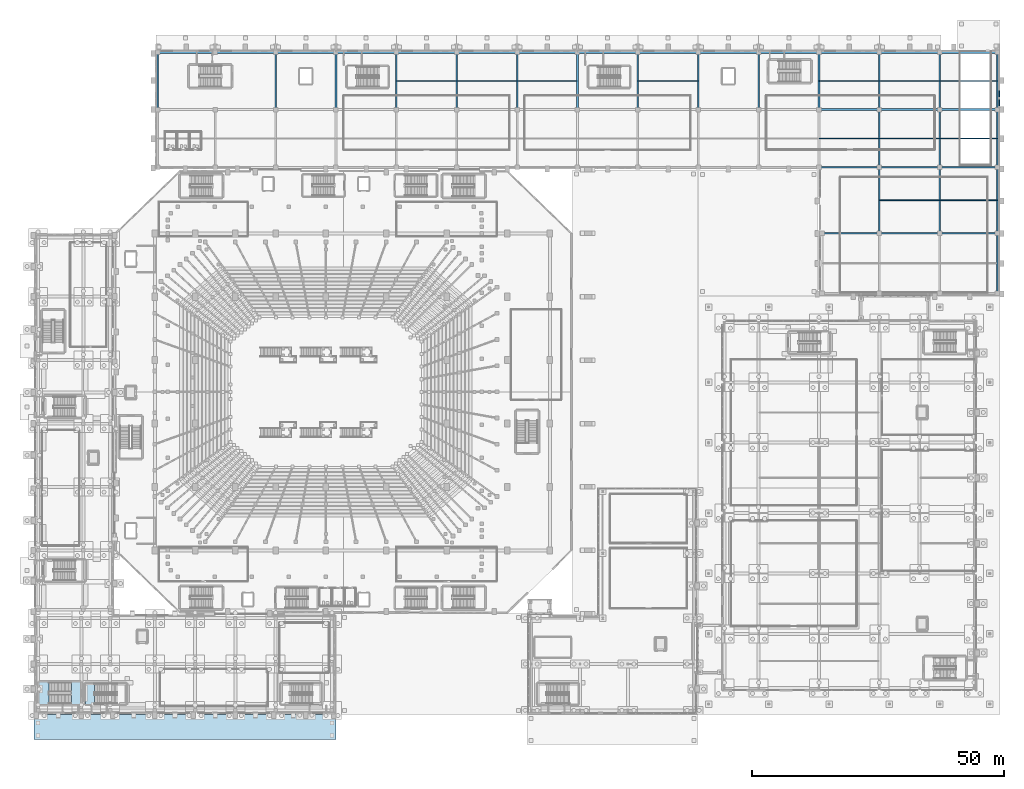
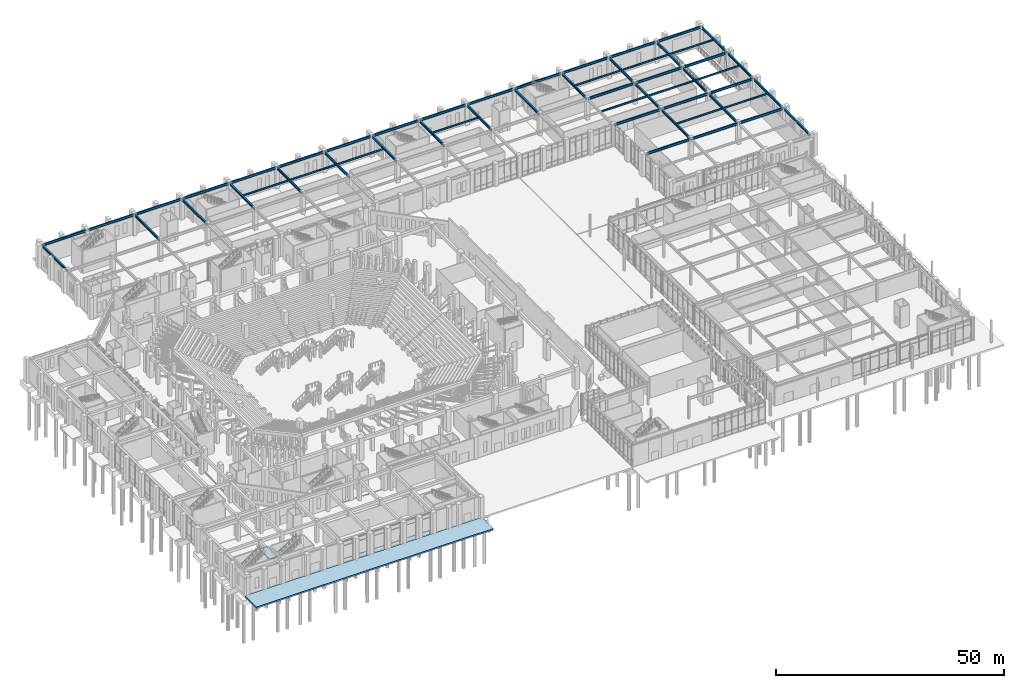
# One storey, part 77 of 143: 56 beams, 4 slabs, 2 members, 2 elements without a shape of their own.
"""IFC4 building model written with IfcOpenShell, lengths in metres."""

from ifc_helpers import new_model, si_unit, derived_unit, direction, frame, origin, origin_2d, place, context, subcontext, project, spatial, polyline, hollow_rectangle, i_section, outline, extrude, material, layer, layer_set, material_profile, profile_set, type_object, element, aggregate, save


model = new_model("IFC4")

# Units and contexts
model_context = context("Model", 3, precision=1e-05, world=origin(), true_north=direction((0.0, 1.0)))
body_context = subcontext(model_context, "Body", "Model", "MODEL_VIEW")
ifc_project = project(units=[si_unit("LENGTHUNIT", "METRE"), si_unit("AREAUNIT", "SQUARE_METRE"), si_unit("VOLUMEUNIT", "CUBIC_METRE"), si_unit("PLANEANGLEUNIT", "RADIAN"), si_unit("MASSUNIT", "GRAM", prefix="KILO"), derived_unit("THERMALTRANSMITTANCEUNIT", [(si_unit("MASSUNIT", "GRAM", prefix="KILO"), 1), (si_unit("TIMEUNIT", "SECOND"), -3), (si_unit("THERMODYNAMICTEMPERATUREUNIT", "KELVIN"), -1)])], contexts=[model_context])

# Site, building, storey
site_placement = place(None, origin())
site = spatial("IfcSite", under=ifc_project, at=site_placement, CompositionType="ELEMENT")
building_placement = place(site_placement, origin())
building = spatial("IfcBuilding", under=site, at=building_placement, Name="Valcora Ridge Arena", CompositionType="ELEMENT")
storey_placement = place(building_placement, origin())
storey = spatial("IfcBuildingStorey", under=building, at=storey_placement, Name="L00", CompositionType="ELEMENT", Elevation=0.0)

# Beams
ifc_material_1 = material(Name="Steel ASTM A572 Grade 50", Category="steel")
ifc_material_profile_1 = material_profile(ifc_material_1, i_section(OverallWidth=0.324951171875, OverallDepth=0.612060546875, WebThickness=0.0126953125, FlangeThickness=0.01904296875, FilletRadius=0.01806640625, at=origin_2d()), Name="W24X104")
ifc_profile_set_1 = profile_set([ifc_material_profile_1], Name="Steel ASTM A572 Grade 50")
beam_type_1 = type_object("IfcBeamType", Name="TY-BEAM-G-W24X104-X", PredefinedType="BEAM", material=ifc_profile_set_1)
beam_1_placement = place(storey_placement, frame((156.739990234375, 95.60009765625, 5.333984375), z_axis=(1.0, 0.0, 0.0), x_axis=(0.0, 1.0, 0.0)))
element("IfcBeam", 1, at=beam_1_placement, inside=storey, type_object=beam_type_1, Name="G-W24X104-X BEM-G-W24X104-X-0001", PredefinedType="BEAM", context=body_context, shape_type="SweptSolid", body=[
    extrude(i_section(OverallWidth=0.324951171875, OverallDepth=0.612060546875, WebThickness=0.0126953125, FlangeThickness=0.01904296875, FilletRadius=0.01806640625, at=origin_2d()), origin(), (0.0, 0.0, 1.0), 11.1201171875),
])
beam_2_placement = place(storey_placement, frame((168.139892578125, 95.60009765625, 5.333984375), z_axis=(1.0, 0.0, 0.0), x_axis=(0.0, 1.0, 0.0)))
element("IfcBeam", 2, at=beam_2_placement, inside=storey, type_object=beam_type_1, Name="G-W24X104-X BEM-G-W24X104-X-0002", PredefinedType="BEAM", context=body_context, shape_type="SweptSolid", body=[
    extrude(i_section(OverallWidth=0.324951171875, OverallDepth=0.612060546875, WebThickness=0.0126953125, FlangeThickness=0.01904296875, FilletRadius=0.01806640625, at=origin_2d()), origin(), (0.0, 0.0, 1.0), 11.72021484375),
])
beam_3_placement = place(storey_placement, frame((180.139892578125, 95.60009765625, 5.333984375), z_axis=(1.0, 0.0, 0.0), x_axis=(0.0, 1.0, 0.0)))
element("IfcBeam", 3, at=beam_3_placement, inside=storey, type_object=beam_type_1, Name="G-W24X104-X BEM-G-W24X104-X-0003", PredefinedType="BEAM", context=body_context, shape_type="SweptSolid", body=[
    extrude(i_section(OverallWidth=0.324951171875, OverallDepth=0.612060546875, WebThickness=0.0126953125, FlangeThickness=0.01904296875, FilletRadius=0.01806640625, at=origin_2d()), origin(), (0.0, 0.0, 1.0), 11.1201171875),
])
for number, where, z_axis, x_axis, name in (
    (4, (156.139892578125, 108.699951171875, 5.333984375), (1.0, 0.0, 0.0), (0.0, 1.0, 0.0), "G-W24X104-X BEM-G-W24X104-X-0015"),
    (5, (168.139892578125, 108.699951171875, 5.333984375), (1.0, 0.0, 0.0), (0.0, 1.0, 0.0), "G-W24X104-X BEM-G-W24X104-X-0016"),
):
    element("IfcBeam", number, at=place(storey_placement, frame(where, z_axis=z_axis, x_axis=x_axis)), inside=storey, type_object=beam_type_1, Name=name, PredefinedType="BEAM", context=body_context, shape_type="SweptSolid", body=[
        extrude(i_section(OverallWidth=0.324951171875, OverallDepth=0.612060546875, WebThickness=0.0126953125, FlangeThickness=0.01904296875, FilletRadius=0.01806640625, at=origin_2d()), origin(), (0.0, 0.0, 1.0), 11.72021484375),
    ])
beam_4_placement = place(storey_placement, frame((180.139892578125, 108.699951171875, 5.333984375), z_axis=(1.0, 0.0, 0.0), x_axis=(0.0, 1.0, 0.0)))
element("IfcBeam", 6, at=beam_4_placement, inside=storey, type_object=beam_type_1, Name="G-W24X104-X BEM-G-W24X104-X-0017", PredefinedType="BEAM", context=body_context, shape_type="SweptSolid", body=[
    extrude(i_section(OverallWidth=0.324951171875, OverallDepth=0.612060546875, WebThickness=0.0126953125, FlangeThickness=0.01904296875, FilletRadius=0.01806640625, at=origin_2d()), origin(), (0.0, 0.0, 1.0), 11.1201171875),
])
for number, where, z_axis, x_axis, name in (
    (7, (156.139892578125, 120.199951171875, 5.333984375), (1.0, 0.0, 0.0), (0.0, 1.0, 0.0), "G-W24X104-X BEM-G-W24X104-X-0029"),
    (8, (168.139892578125, 120.199951171875, 5.333984375), (1.0, 0.0, 0.0), (0.0, 1.0, 0.0), "G-W24X104-X BEM-G-W24X104-X-0030"),
):
    element("IfcBeam", number, at=place(storey_placement, frame(where, z_axis=z_axis, x_axis=x_axis)), inside=storey, type_object=beam_type_1, Name=name, PredefinedType="BEAM", context=body_context, shape_type="SweptSolid", body=[
        extrude(i_section(OverallWidth=0.324951171875, OverallDepth=0.612060546875, WebThickness=0.0126953125, FlangeThickness=0.01904296875, FilletRadius=0.01806640625, at=origin_2d()), origin(), (0.0, 0.0, 1.0), 11.72021484375),
    ])
beam_5_placement = place(storey_placement, frame((180.139892578125, 120.199951171875, 5.333984375), z_axis=(1.0, 0.0, 0.0), x_axis=(0.0, 1.0, 0.0)))
element("IfcBeam", 9, at=beam_5_placement, inside=storey, type_object=beam_type_1, Name="G-W24X104-X BEM-G-W24X104-X-0031", PredefinedType="BEAM", context=body_context, shape_type="SweptSolid", body=[
    extrude(i_section(OverallWidth=0.324951171875, OverallDepth=0.612060546875, WebThickness=0.0126953125, FlangeThickness=0.01904296875, FilletRadius=0.01806640625, at=origin_2d()), origin(), (0.0, 0.0, 1.0), 11.1201171875),
])
ifc_material_profile_2 = material_profile(ifc_material_1, i_section(OverallWidth=0.324951171875, OverallDepth=0.612060546875, WebThickness=0.0126953125, FlangeThickness=0.01904296875, FilletRadius=0.01806640625, at=origin_2d()), Name="W24X104")
ifc_profile_set_2 = profile_set([ifc_material_profile_2], Name="Steel ASTM A572 Grade 50")
beam_type_2 = type_object("IfcBeamType", Name="TY-BEAM-G-W24X104-Y", PredefinedType="BEAM", material=ifc_profile_set_2)
for number, where, z_axis, x_axis, name in (
    (10, (24.60009765625, 120.340087890625, 5.333984375), (0.0, 1.0, 0.0), (-1.0, 0.0, 0.0), "G-W24X104-Y BEM-G-W24X104-Y-0002"),
    (11, (48.0, 120.340087890625, 5.333984375), (0.0, 1.0, 0.0), (-1.0, 0.0, 0.0), "G-W24X104-Y BEM-G-W24X104-Y-0005"),
    (12, (60.0, 120.340087890625, 5.333984375), (0.0, 1.0, 0.0), (-1.0, 0.0, 0.0), "G-W24X104-Y BEM-G-W24X104-Y-0007"),
    (13, (72.0, 120.340087890625, 5.333984375), (0.0, 1.0, 0.0), (-1.0, 0.0, 0.0), "G-W24X104-Y BEM-G-W24X104-Y-0009"),
    (14, (84.0, 120.340087890625, 5.333984375), (0.0, 1.0, 0.0), (-1.0, 0.0, 0.0), "G-W24X104-Y BEM-G-W24X104-Y-0011"),
    (15, (96.0, 120.340087890625, 5.333984375), (0.0, 1.0, 0.0), (-1.0, 0.0, 0.0), "G-W24X104-Y BEM-G-W24X104-Y-0013"),
    (16, (108.0, 120.340087890625, 5.333984375), (0.0, 1.0, 0.0), (-1.0, 0.0, 0.0), "G-W24X104-Y BEM-G-W24X104-Y-0015"),
    (17, (120.0, 120.340087890625, 5.333984375), (0.0, 1.0, 0.0), (-1.0, 0.0, 0.0), "G-W24X104-Y BEM-G-W24X104-Y-0017"),
    (18, (132.0, 120.340087890625, 5.333984375), (0.0, 1.0, 0.0), (-1.0, 0.0, 0.0), "G-W24X104-Y BEM-G-W24X104-Y-0019"),
    (19, (144.0, 120.340087890625, 5.333984375), (0.0, 1.0, 0.0), (-1.0, 0.0, 0.0), "G-W24X104-Y BEM-G-W24X104-Y-0021"),
    (20, (156.0, 120.340087890625, 5.333984375), (0.0, 1.0, 0.0), (-1.0, 0.0, 0.0), "G-W24X104-Y BEM-G-W24X104-Y-0023"),
):
    element("IfcBeam", number, at=place(storey_placement, frame(where, z_axis=z_axis, x_axis=x_axis)), inside=storey, type_object=beam_type_2, Name=name, PredefinedType="BEAM", context=body_context, shape_type="SweptSolid", body=[
        extrude(i_section(OverallWidth=0.324951171875, OverallDepth=0.612060546875, WebThickness=0.0126953125, FlangeThickness=0.01904296875, FilletRadius=0.01806640625, at=origin_2d()), origin(), (0.0, 0.0, 1.0), 11.06982421875),
    ])
beam_6_placement = place(storey_placement, frame((168.0, 95.739990234375, 5.333984375), z_axis=(0.0, 1.0, 0.0), x_axis=(-1.0, 0.0, 0.0)))
element("IfcBeam", 21, at=beam_6_placement, inside=storey, type_object=beam_type_2, Name="G-W24X104-Y BEM-G-W24X104-Y-0026", PredefinedType="BEAM", context=body_context, shape_type="SweptSolid", body=[
    extrude(i_section(OverallWidth=0.324951171875, OverallDepth=0.612060546875, WebThickness=0.0126953125, FlangeThickness=0.01904296875, FilletRadius=0.01806640625, at=origin_2d()), origin(), (0.0, 0.0, 1.0), 12.820068359375),
])
beam_7_placement = place(storey_placement, frame((168.0, 108.840087890625, 5.333984375), z_axis=(0.0, 1.0, 0.0), x_axis=(-1.0, 0.0, 0.0)))
element("IfcBeam", 22, at=beam_7_placement, inside=storey, type_object=beam_type_2, Name="G-W24X104-Y BEM-G-W24X104-Y-0027", PredefinedType="BEAM", context=body_context, shape_type="SweptSolid", body=[
    extrude(i_section(OverallWidth=0.324951171875, OverallDepth=0.612060546875, WebThickness=0.0126953125, FlangeThickness=0.01904296875, FilletRadius=0.01806640625, at=origin_2d()), origin(), (0.0, 0.0, 1.0), 11.219970703125),
])
beam_8_placement = place(storey_placement, frame((168.0, 120.340087890625, 5.333984375), z_axis=(0.0, 1.0, 0.0), x_axis=(-1.0, 0.0, 0.0)))
element("IfcBeam", 23, at=beam_8_placement, inside=storey, type_object=beam_type_2, Name="G-W24X104-Y BEM-G-W24X104-Y-0028", PredefinedType="BEAM", context=body_context, shape_type="SweptSolid", body=[
    extrude(i_section(OverallWidth=0.324951171875, OverallDepth=0.612060546875, WebThickness=0.0126953125, FlangeThickness=0.01904296875, FilletRadius=0.01806640625, at=origin_2d()), origin(), (0.0, 0.0, 1.0), 11.06982421875),
])
beam_9_placement = place(storey_placement, frame((180.0, 95.739990234375, 5.333984375), z_axis=(0.0, 1.0, 0.0), x_axis=(-1.0, 0.0, 0.0)))
element("IfcBeam", 24, at=beam_9_placement, inside=storey, type_object=beam_type_2, Name="G-W24X104-Y BEM-G-W24X104-Y-0030", PredefinedType="BEAM", context=body_context, shape_type="SweptSolid", body=[
    extrude(i_section(OverallWidth=0.324951171875, OverallDepth=0.612060546875, WebThickness=0.0126953125, FlangeThickness=0.01904296875, FilletRadius=0.01806640625, at=origin_2d()), origin(), (0.0, 0.0, 1.0), 12.820068359375),
])
beam_10_placement = place(storey_placement, frame((180.0, 108.840087890625, 5.333984375), z_axis=(0.0, 1.0, 0.0), x_axis=(-1.0, 0.0, 0.0)))
element("IfcBeam", 25, at=beam_10_placement, inside=storey, type_object=beam_type_2, Name="G-W24X104-Y BEM-G-W24X104-Y-0031", PredefinedType="BEAM", context=body_context, shape_type="SweptSolid", body=[
    extrude(i_section(OverallWidth=0.324951171875, OverallDepth=0.612060546875, WebThickness=0.0126953125, FlangeThickness=0.01904296875, FilletRadius=0.01806640625, at=origin_2d()), origin(), (0.0, 0.0, 1.0), 11.219970703125),
])
beam_11_placement = place(storey_placement, frame((180.0, 120.340087890625, 5.333984375), z_axis=(0.0, 1.0, 0.0), x_axis=(-1.0, 0.0, 0.0)))
element("IfcBeam", 26, at=beam_11_placement, inside=storey, type_object=beam_type_2, Name="G-W24X104-Y BEM-G-W24X104-Y-0032", PredefinedType="BEAM", context=body_context, shape_type="SweptSolid", body=[
    extrude(i_section(OverallWidth=0.324951171875, OverallDepth=0.612060546875, WebThickness=0.0126953125, FlangeThickness=0.01904296875, FilletRadius=0.01806640625, at=origin_2d()), origin(), (0.0, 0.0, 1.0), 11.06982421875),
])
beam_12_placement = place(storey_placement, frame((191.39990234375, 83.840087890625, 5.333984375), z_axis=(0.0, 1.0, 0.0), x_axis=(-1.0, 0.0, 0.0)))
element("IfcBeam", 27, at=beam_12_placement, inside=storey, type_object=beam_type_2, Name="G-W24X104-Y BEM-G-W24X104-Y-0033", PredefinedType="BEAM", context=body_context, shape_type="SweptSolid", body=[
    extrude(i_section(OverallWidth=0.324951171875, OverallDepth=0.612060546875, WebThickness=0.0126953125, FlangeThickness=0.01904296875, FilletRadius=0.01806640625, at=origin_2d()), origin(), (0.0, 0.0, 1.0), 11.619873046875),
])
beam_13_placement = place(storey_placement, frame((191.39990234375, 95.739990234375, 5.333984375), z_axis=(0.0, 1.0, 0.0), x_axis=(-1.0, 0.0, 0.0)))
element("IfcBeam", 28, at=beam_13_placement, inside=storey, type_object=beam_type_2, Name="G-W24X104-Y BEM-G-W24X104-Y-0034", PredefinedType="BEAM", context=body_context, shape_type="SweptSolid", body=[
    extrude(i_section(OverallWidth=0.324951171875, OverallDepth=0.612060546875, WebThickness=0.0126953125, FlangeThickness=0.01904296875, FilletRadius=0.01806640625, at=origin_2d()), origin(), (0.0, 0.0, 1.0), 12.820068359375),
])
beam_14_placement = place(storey_placement, frame((191.39990234375, 108.840087890625, 5.333984375), z_axis=(0.0, 1.0, 0.0), x_axis=(-1.0, 0.0, 0.0)))
element("IfcBeam", 29, at=beam_14_placement, inside=storey, type_object=beam_type_2, Name="G-W24X104-Y BEM-G-W24X104-Y-0035", PredefinedType="BEAM", context=body_context, shape_type="SweptSolid", body=[
    extrude(i_section(OverallWidth=0.324951171875, OverallDepth=0.612060546875, WebThickness=0.0126953125, FlangeThickness=0.01904296875, FilletRadius=0.01806640625, at=origin_2d()), origin(), (0.0, 0.0, 1.0), 11.219970703125),
])
beam_15_placement = place(storey_placement, frame((191.39990234375, 120.340087890625, 5.333984375), z_axis=(0.0, 1.0, 0.0), x_axis=(-1.0, 0.0, 0.0)))
element("IfcBeam", 30, at=beam_15_placement, inside=storey, type_object=beam_type_2, Name="G-W24X104-Y BEM-G-W24X104-Y-0036", PredefinedType="BEAM", context=body_context, shape_type="SweptSolid", body=[
    extrude(i_section(OverallWidth=0.324951171875, OverallDepth=0.612060546875, WebThickness=0.0126953125, FlangeThickness=0.01904296875, FilletRadius=0.01806640625, at=origin_2d()), origin(), (0.0, 0.0, 1.0), 11.06982421875),
])
ifc_material_profile_3 = material_profile(ifc_material_1, i_section(OverallWidth=0.18994140625, OverallDepth=0.45703125, WebThickness=0.009033203125, FlangeThickness=0.014404296875, FilletRadius=0.014892578125, at=origin_2d()), Name="W18X50")
ifc_profile_set_3 = profile_set([ifc_material_profile_3], Name="Steel ASTM A572 Grade 50")
beam_type_3 = type_object("IfcBeamType", Name="TY-BEAM-J-W18X50", PredefinedType="JOIST", material=ifc_profile_set_3)
for number, where, z_axis, x_axis, name in (
    (31, (72.10009765625, 125.875, 5.41162109375), (1.0, 0.0, 0.0), (0.0, 1.0, 0.0), "J-W18X50 BEM-J-W18X50-0006"),
    (32, (84.10009765625, 125.875, 5.41162109375), (1.0, 0.0, 0.0), (0.0, 1.0, 0.0), "J-W18X50 BEM-J-W18X50-0008"),
    (33, (96.10009765625, 125.875, 5.41162109375), (1.0, 0.0, 0.0), (0.0, 1.0, 0.0), "J-W18X50 BEM-J-W18X50-0010"),
    (34, (120.10009765625, 125.875, 5.41162109375), (1.0, 0.0, 0.0), (0.0, 1.0, 0.0), "J-W18X50 BEM-J-W18X50-0013"),
    (35, (156.10009765625, 114.449951171875, 5.41162109375), (1.0, 0.0, 0.0), (0.0, 1.0, 0.0), "J-W18X50 BEM-J-W18X50-0016"),
    (36, (156.10009765625, 125.875, 5.41162109375), (1.0, 0.0, 0.0), (0.0, 1.0, 0.0), "J-W18X50 BEM-J-W18X50-0017"),
    (37, (168.10009765625, 102.14990234375, 5.41162109375), (1.0, 0.0, 0.0), (0.0, 1.0, 0.0), "J-W18X50 BEM-J-W18X50-0020"),
    (38, (168.10009765625, 114.449951171875, 5.41162109375), (1.0, 0.0, 0.0), (0.0, 1.0, 0.0), "J-W18X50 BEM-J-W18X50-0021"),
    (39, (168.10009765625, 125.875, 5.41162109375), (1.0, 0.0, 0.0), (0.0, 1.0, 0.0), "J-W18X50 BEM-J-W18X50-0022"),
):
    element("IfcBeam", number, at=place(storey_placement, frame(where, z_axis=z_axis, x_axis=x_axis)), inside=storey, type_object=beam_type_3, Name=name, PredefinedType="JOIST", context=body_context, shape_type="SweptSolid", body=[
        extrude(i_section(OverallWidth=0.18994140625, OverallDepth=0.45703125, WebThickness=0.009033203125, FlangeThickness=0.014404296875, FilletRadius=0.014892578125, at=origin_2d()), origin(), (0.0, 0.0, 1.0), 11.7998046875),
    ])
for number, where, z_axis, x_axis, name in (
    (40, (180.10009765625, 102.14990234375, 5.41162109375), (1.0, 0.0, 0.0), (0.0, 1.0, 0.0), "J-W18X50 BEM-J-W18X50-0024"),
    (41, (180.10009765625, 114.449951171875, 5.41162109375), (1.0, 0.0, 0.0), (0.0, 1.0, 0.0), "J-W18X50 BEM-J-W18X50-0025"),
    (42, (180.10009765625, 125.875, 5.41162109375), (1.0, 0.0, 0.0), (0.0, 1.0, 0.0), "J-W18X50 BEM-J-W18X50-0026"),
):
    element("IfcBeam", number, at=place(storey_placement, frame(where, z_axis=z_axis, x_axis=x_axis)), inside=storey, type_object=beam_type_3, Name=name, PredefinedType="JOIST", context=body_context, shape_type="SweptSolid", body=[
        extrude(i_section(OverallWidth=0.18994140625, OverallDepth=0.45703125, WebThickness=0.009033203125, FlangeThickness=0.014404296875, FilletRadius=0.014892578125, at=origin_2d()), origin(), (0.0, 0.0, 1.0), 11.199951171875),
    ])
ifc_material_profile_4 = material_profile(ifc_material_1, i_section(OverallWidth=0.324951171875, OverallDepth=0.612060546875, WebThickness=0.0126953125, FlangeThickness=0.01904296875, FilletRadius=0.01806640625, at=origin_2d()), Name="W24X104")
ifc_profile_set_4 = profile_set([ifc_material_profile_4], Name="Steel ASTM A572 Grade 50")
beam_type_4 = type_object("IfcBeamType", Name="TY-BEAM-SP-W24X104", PredefinedType="SPANDREL", material=ifc_profile_set_4)
beam_16_placement = place(storey_placement, frame((24.739990234375, 131.550048828125, 5.333984375), z_axis=(1.0, 0.0, 0.0), x_axis=(0.0, 1.0, 0.0)))
element("IfcBeam", 43, at=beam_16_placement, inside=storey, type_object=beam_type_4, Name="SP-W24X104 BEM-SP-W24X104-0004", PredefinedType="SPANDREL", context=body_context, shape_type="SweptSolid", body=[
    extrude(i_section(OverallWidth=0.324951171875, OverallDepth=0.612060546875, WebThickness=0.0126953125, FlangeThickness=0.01904296875, FilletRadius=0.01806640625, at=origin_2d()), origin(), (0.0, 0.0, 1.0), 11.1201171875),
])
for number, where, z_axis, x_axis, name in (
    (44, (36.139892578125, 131.550048828125, 5.333984375), (1.0, 0.0, 0.0), (0.0, 1.0, 0.0), "SP-W24X104 BEM-SP-W24X104-0005"),
    (45, (48.139892578125, 131.550048828125, 5.333984375), (1.0, 0.0, 0.0), (0.0, 1.0, 0.0), "SP-W24X104 BEM-SP-W24X104-0006"),
    (46, (60.139892578125, 131.550048828125, 5.333984375), (1.0, 0.0, 0.0), (0.0, 1.0, 0.0), "SP-W24X104 BEM-SP-W24X104-0007"),
    (47, (72.139892578125, 131.550048828125, 5.333984375), (1.0, 0.0, 0.0), (0.0, 1.0, 0.0), "SP-W24X104 BEM-SP-W24X104-0008"),
    (48, (84.139892578125, 131.550048828125, 5.333984375), (1.0, 0.0, 0.0), (0.0, 1.0, 0.0), "SP-W24X104 BEM-SP-W24X104-0009"),
    (49, (96.139892578125, 131.550048828125, 5.333984375), (1.0, 0.0, 0.0), (0.0, 1.0, 0.0), "SP-W24X104 BEM-SP-W24X104-0010"),
    (50, (108.139892578125, 131.550048828125, 5.333984375), (1.0, 0.0, 0.0), (0.0, 1.0, 0.0), "SP-W24X104 BEM-SP-W24X104-0011"),
    (51, (120.139892578125, 131.550048828125, 5.333984375), (1.0, 0.0, 0.0), (0.0, 1.0, 0.0), "SP-W24X104 BEM-SP-W24X104-0012"),
    (52, (132.139892578125, 131.550048828125, 5.333984375), (1.0, 0.0, 0.0), (0.0, 1.0, 0.0), "SP-W24X104 BEM-SP-W24X104-0013"),
    (53, (144.139892578125, 131.550048828125, 5.333984375), (1.0, 0.0, 0.0), (0.0, 1.0, 0.0), "SP-W24X104 BEM-SP-W24X104-0014"),
    (54, (156.139892578125, 131.550048828125, 5.333984375), (1.0, 0.0, 0.0), (0.0, 1.0, 0.0), "SP-W24X104 BEM-SP-W24X104-0015"),
    (55, (168.139892578125, 131.550048828125, 5.333984375), (1.0, 0.0, 0.0), (0.0, 1.0, 0.0), "SP-W24X104 BEM-SP-W24X104-0016"),
):
    element("IfcBeam", number, at=place(storey_placement, frame(where, z_axis=z_axis, x_axis=x_axis)), inside=storey, type_object=beam_type_4, Name=name, PredefinedType="SPANDREL", context=body_context, shape_type="SweptSolid", body=[
        extrude(i_section(OverallWidth=0.324951171875, OverallDepth=0.612060546875, WebThickness=0.0126953125, FlangeThickness=0.01904296875, FilletRadius=0.01806640625, at=origin_2d()), origin(), (0.0, 0.0, 1.0), 11.72021484375),
    ])
beam_17_placement = place(storey_placement, frame((180.139892578125, 131.550048828125, 5.333984375), z_axis=(1.0, 0.0, 0.0), x_axis=(0.0, 1.0, 0.0)))
element("IfcBeam", 56, at=beam_17_placement, inside=storey, type_object=beam_type_4, Name="SP-W24X104 BEM-SP-W24X104-0017", PredefinedType="SPANDREL", context=body_context, shape_type="SweptSolid", body=[
    extrude(i_section(OverallWidth=0.324951171875, OverallDepth=0.612060546875, WebThickness=0.0126953125, FlangeThickness=0.01904296875, FilletRadius=0.01806640625, at=origin_2d()), origin(), (0.0, 0.0, 1.0), 11.1201171875),
])

# Members
ifc_material_2 = material(Name="Steel ASTM A500 Grade C", Category="steel")
ifc_material_profile_5 = material_profile(ifc_material_2, hollow_rectangle(XDim=0.199951171875, YDim=0.199951171875, WallThickness=0.012451171875, at=origin_2d()), Name="HSS200X200X12")
ifc_profile_set_5 = profile_set([ifc_material_profile_5], Name="Steel ASTM A500 Grade C")
member_type_1 = type_object("IfcMemberType", Name="TY-MEMBER-CBF-200A", PredefinedType="BRACE", material=ifc_profile_set_5)
member_1_placement = place(storey_placement, frame((191.780029296875, 120.699951171875, 0.02001953125), z_axis=(0.0, 0.305220662281, 0.952281653355), x_axis=(-1.0, 0.0, 0.0)))
element("IfcMember", 57, at=member_1_placement, inside=storey, type_object=member_type_1, Name="CBF-200A Diagonal Brace", PredefinedType="BRACE", context=body_context, shape_type="SweptSolid", body=[
    extrude(hollow_rectangle(XDim=0.199951171875, YDim=0.199951171875, WallThickness=0.012451171875, at=origin_2d()), origin(), (0.0, 0.0, 1.0), 5.733642578125),
])
ifc_material_profile_6 = material_profile(ifc_material_2, hollow_rectangle(XDim=0.199951171875, YDim=0.199951171875, WallThickness=0.012451171875, at=origin_2d()), Name="HSS200X200X12")
ifc_profile_set_6 = profile_set([ifc_material_profile_6], Name="Steel ASTM A500 Grade C")
member_type_2 = type_object("IfcMemberType", Name="TY-MEMBER-CBF-200B", PredefinedType="BRACE", material=ifc_profile_set_6)
member_2_placement = place(storey_placement, frame((191.780029296875, 124.199951171875, 0.02001953125), z_axis=(0.0, -0.305220662281, 0.952281653355), x_axis=(1.0, 0.0, 0.0)))
element("IfcMember", 58, at=member_2_placement, inside=storey, type_object=member_type_2, Name="CBF-200B Diagonal Brace", PredefinedType="BRACE", context=body_context, shape_type="SweptSolid", body=[
    extrude(hollow_rectangle(XDim=0.199951171875, YDim=0.199951171875, WallThickness=0.012451171875, at=origin_2d()), origin(), (0.0, 0.0, 1.0), 5.733642578125),
])

# Stair, slab
ifc_material_3 = material(Name="Concrete C40/50", Category="concrete")
stair_type_1 = type_object("IfcStairType", Name="TY-STAIR-ES05-60", PredefinedType="HALF_TURN_STAIR", material=ifc_material_3)
stair_1_placement = place(storey_placement, origin())
stair_1 = element("IfcStair", 59, at=stair_1_placement, inside=storey, type_object=stair_type_1, Name="ES05-60 STR-ES-0017", PredefinedType="HALF_TURN_STAIR")
ifc_layer_1 = layer(ifc_material_3, 0.199951171875, Name="Concrete C40/50")
ifc_layer_set_1 = layer_set([ifc_layer_1], Name="Concrete C40/50")
slab_type_1 = type_object("IfcSlabType", Name="TY-LAND-ES05-60", PredefinedType="LANDING", material=ifc_layer_set_1)
slab_1_placement = place(storey_placement, frame((0.0, 0.0, 2.800048828125)))
slab_1 = element("IfcSlab", 60, at=slab_1_placement, type_object=slab_type_1, Name="ES05-60 landing 1", PredefinedType="LANDING", context=body_context, shape_type="SweptSolid", body=[
    extrude(outline(polyline([(10.201904296875, 2.001953125), (12.0400390625, 2.001953125), (12.0400390625, 6.197998046875), (10.201904296875, 6.197998046875), (10.201904296875, 2.001953125)])), origin(), (0.0, 0.0, 1.0), 0.199951171875),
])
aggregate(stair_1, [slab_1])

# Stair, slabs
stair_type_2 = type_object("IfcStairType", Name="TY-STAIR-ST07-60", PredefinedType="HALF_TURN_STAIR", material=ifc_material_3)
stair_2_placement = place(storey_placement, origin())
stair_2 = element("IfcStair", 61, at=stair_2_placement, inside=storey, type_object=stair_type_2, Name="ST07-60 STR-CR-0031", PredefinedType="HALF_TURN_STAIR")
ifc_layer_2 = layer(ifc_material_3, 0.199951171875, Name="Concrete C40/50")
ifc_layer_set_2 = layer_set([ifc_layer_2], Name="Concrete C40/50")
slab_type_2 = type_object("IfcSlabType", Name="TY-LAND-ST07-60", PredefinedType="LANDING", material=ifc_layer_set_2)
slab_2_placement = place(storey_placement, frame((0.0, 0.0, 2.800048828125)))
slab_2 = element("IfcSlab", 62, at=slab_2_placement, type_object=slab_type_2, Name="ST07-60 landing 1", PredefinedType="LANDING", context=body_context, shape_type="SweptSolid", body=[
    extrude(outline(polyline([(1.001953125, 2.001953125), (2.949951171875, 2.001953125), (2.949951171875, 6.39794921875), (1.001953125, 6.39794921875), (1.001953125, 2.001953125)])), origin(), (0.0, 0.0, 1.0), 0.199951171875),
])
slab_3_placement = place(storey_placement, frame((0.0, 0.0, 5.800048828125)))
slab_3 = element("IfcSlab", 63, at=slab_3_placement, type_object=slab_type_2, Name="ST07-60 landing 2", PredefinedType="LANDING", context=body_context, shape_type="SweptSolid", body=[
    extrude(outline(polyline([(7.389892578125, 2.001953125), (9.318115234375, 2.001953125), (9.318115234375, 6.39794921875), (7.389892578125, 6.39794921875), (7.389892578125, 2.001953125)])), origin(), (0.0, 0.0, 1.0), 0.199951171875),
])
aggregate(stair_2, [slab_2, slab_3])

# Slab
ifc_layer_3 = layer(ifc_material_3, 0.39990234375, Name="Concrete C40/50")
ifc_layer_set_3 = layer_set([ifc_layer_3], Name="Concrete C40/50")
slab_type_3 = type_object("IfcSlabType", Name="TY-SLAB-SL-PLAZA-V4S", PredefinedType="USERDEFINED", material=ifc_layer_set_3)
slab_4_placement = place(storey_placement, frame((0.0, 0.0, -0.39990234375)))
element("IfcSlab", 64, at=slab_4_placement, inside=storey, type_object=slab_type_3, Name="SL-PLAZA-V4S SLB-0031", ObjectType="PAVING", PredefinedType="USERDEFINED", context=body_context, shape_type="SweptSolid", body=[
    extrude(outline(polyline([(60.0, -5.0), (60.0, 0.0), (0.0, 0.0), (0.0, -5.0), (60.0, -5.0)])), origin(), (0.0, 0.0, 1.0), 0.39990234375),
])

save(model, "model.ifc")
